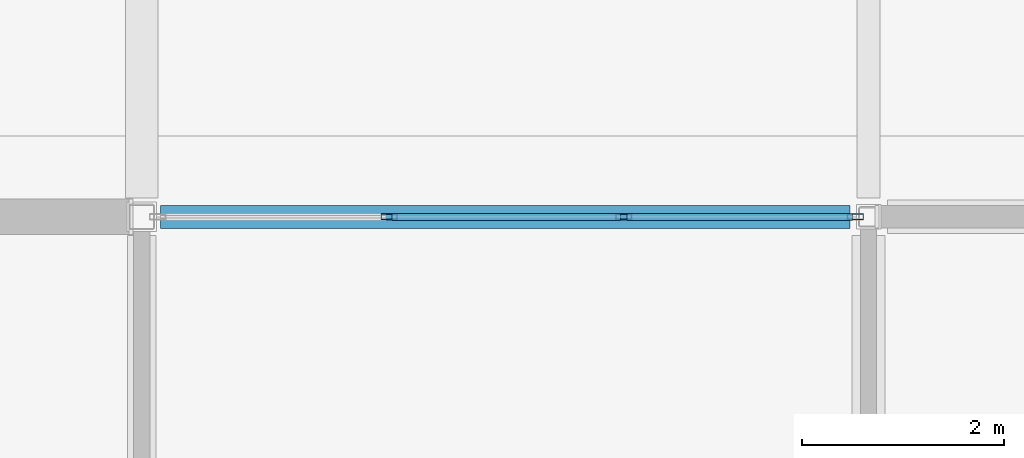
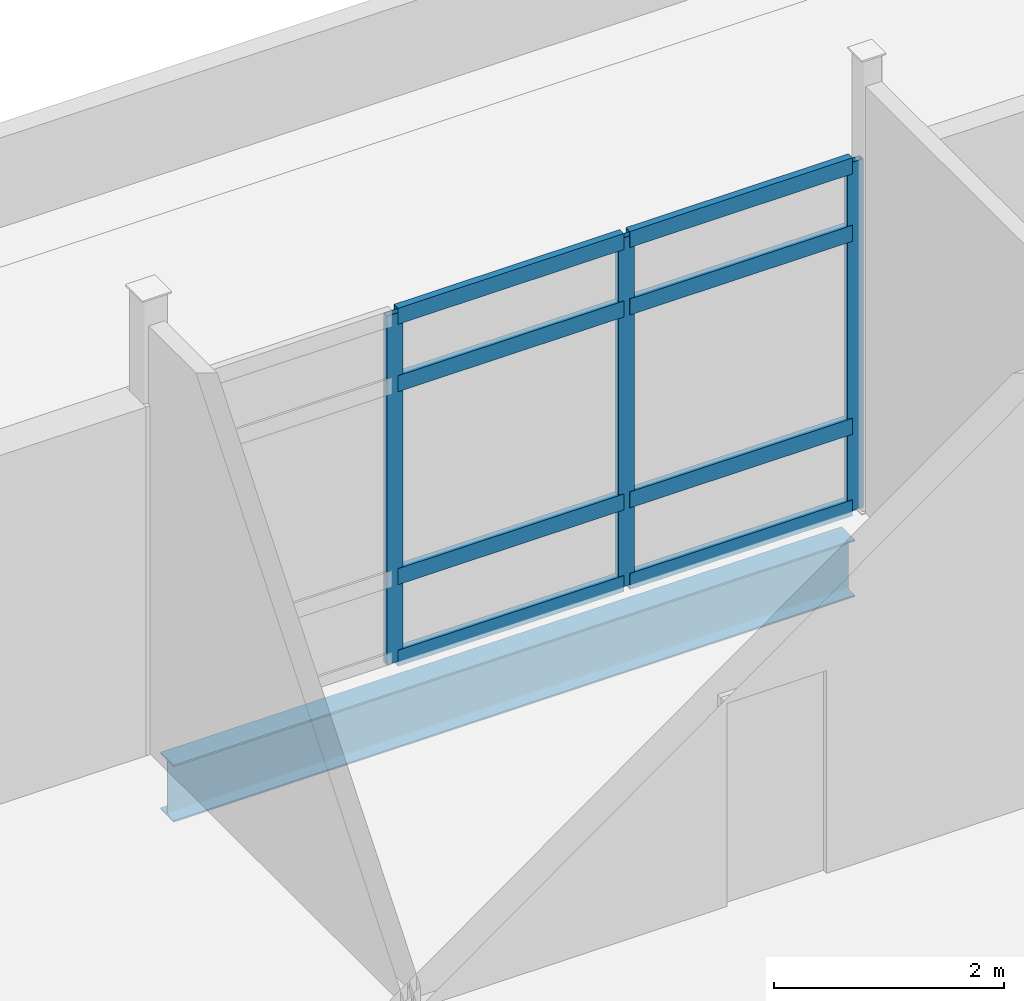
# One storey, part 37 of 186: 11 members, 1 beam, 1 element without a shape of its own.
"""IFC4 building model written with IfcOpenShell, lengths in metres."""

from ifc_helpers import new_model, si_unit, direction, frame, origin, origin_2d, place, context, subcontext, project, spatial, hollow_rectangle, i_section, extrude, material, layer, layer_set, material_profile, profile_set, type_object, element, aggregate, save


model = new_model("IFC4")

# Units and contexts
model_context = context("Model", 3, precision=1e-05, world=origin(), true_north=direction((0.0, 1.0)))
body_context = subcontext(model_context, "Body", "Model", "MODEL_VIEW")
ifc_project = project(units=[si_unit("LENGTHUNIT", "METRE"), si_unit("AREAUNIT", "SQUARE_METRE"), si_unit("VOLUMEUNIT", "CUBIC_METRE"), si_unit("PLANEANGLEUNIT", "RADIAN"), si_unit("MASSUNIT", "GRAM", prefix="KILO")], contexts=[model_context])

# Site, building, storey
site_placement = place(None, origin())
site = spatial("IfcSite", under=ifc_project, at=site_placement, CompositionType="ELEMENT")
building_placement = place(site_placement, origin())
building = spatial("IfcBuilding", under=site, at=building_placement, Name="Calvrana Isthmian Art Gallery", CompositionType="ELEMENT")
storey_placement = place(building_placement, frame((0.0, 0.0, 5.39990234375)))
storey = spatial("IfcBuildingStorey", under=building, at=storey_placement, Name="L01", CompositionType="ELEMENT", Elevation=5.39990234375)

# Beam
ifc_material_1 = material(Name="Steel ASTM A992 Gr 50", Category="steel")
ifc_material_profile_1 = material_profile(ifc_material_1, i_section(OverallWidth=0.22802734375, OverallDepth=0.60693359375, WebThickness=0.01123046875, FlangeThickness=0.017333984375, FilletRadius=0.02197265625, at=origin_2d()), Name="W24X76")
ifc_profile_set_1 = profile_set([ifc_material_profile_1], Name="Steel ASTM A992 Gr 50")
beam_type = type_object("IfcBeamType", Name="BM-G-W24X76", PredefinedType="BEAM", material=ifc_profile_set_1)
beam_placement = place(storey_placement, frame((14.58642578125, 62.0, -0.54833984375), z_axis=(1.0, 0.0, 0.0), x_axis=(0.0, 1.0, 0.0)))
element("IfcBeam", 1, at=beam_placement, inside=storey, type_object=beam_type, Name="Girder X L01 03-04/I", PredefinedType="BEAM", context=body_context, shape_type="SweptSolid", body=[
    extrude(i_section(OverallWidth=0.22802734375, OverallDepth=0.60693359375, WebThickness=0.01123046875, FlangeThickness=0.017333984375, FilletRadius=0.02197265625, at=origin_2d()), origin(), (0.0, 0.0, 1.0), 6.8271484375),
])

# Curtain wall, members
ifc_material_2 = material(Name="Anodized bronze aluminium 6063-T6", Category="aluminium")
ifc_layer = layer(ifc_material_2, 0.179931640625, Name="Anodized bronze aluminium 6063-T6")
ifc_layer_set = layer_set([ifc_layer], Name="Anodized bronze aluminium 6063-T6")
curtain_wall_type = type_object("IfcCurtainWallType", Name="CW-STICK-070X37", PredefinedType="NOTDEFINED", material=ifc_layer_set)
curtain_wall_placement = place(storey_placement, origin())
curtain_wall = element("IfcCurtainWall", 2, at=curtain_wall_placement, inside=storey, type_object=curtain_wall_type, Name="Curtain wall CW-103", PredefinedType="NOTDEFINED")
ifc_material_profile_2 = material_profile(ifc_material_2, hollow_rectangle(XDim=0.06005859375, YDim=0.159912109375, WallThickness=0.00390625, at=origin_2d()), Name="CWM60X160")
ifc_profile_set_2 = profile_set([ifc_material_profile_2], Name="Anodized bronze aluminium 6063-T6")
member_type_1 = type_object("IfcMemberType", Name="CWM-CWM60X160", PredefinedType="MULLION", material=ifc_profile_set_2)
member_1_placement = place(storey_placement, frame((16.850830078125, 62.0, 0.0), z_axis=(0.0, 0.0, 1.0), x_axis=(0.0, 1.0, 0.0)))
member_1 = element("IfcMember", 3, at=member_1_placement, type_object=member_type_1, Name="CW-103 mullion 2", PredefinedType="MULLION", context=body_context, shape_type="SweptSolid", body=[
    extrude(hollow_rectangle(XDim=0.06005859375, YDim=0.159912109375, WallThickness=0.00390625, at=origin_2d()), origin(), (0.0, 0.0, 1.0), 3.695068359375),
])
member_2_placement = place(storey_placement, frame((19.174560546875, 62.0, 0.0), z_axis=(0.0, 0.0, 1.0), x_axis=(0.0, 1.0, 0.0)))
member_2 = element("IfcMember", 4, at=member_2_placement, type_object=member_type_1, Name="CW-103 mullion 3", PredefinedType="MULLION", context=body_context, shape_type="SweptSolid", body=[
    extrude(hollow_rectangle(XDim=0.06005859375, YDim=0.159912109375, WallThickness=0.00390625, at=origin_2d()), origin(), (0.0, 0.0, 1.0), 3.695068359375),
])
member_3_placement = place(storey_placement, frame((21.468505859375, 62.0, 0.0), z_axis=(0.0, 0.0, 1.0), x_axis=(0.0, 1.0, 0.0)))
member_3 = element("IfcMember", 5, at=member_3_placement, type_object=member_type_1, Name="CW-103 mullion 4", PredefinedType="MULLION", context=body_context, shape_type="SweptSolid", body=[
    extrude(hollow_rectangle(XDim=0.06005859375, YDim=0.159912109375, WallThickness=0.00390625, at=origin_2d()), origin(), (0.0, 0.0, 1.0), 3.695068359375),
])
ifc_material_profile_3 = material_profile(ifc_material_2, hollow_rectangle(XDim=0.070068359375, YDim=0.169921875, WallThickness=0.00439453125, at=origin_2d()), Name="CWT70X170")
ifc_profile_set_3 = profile_set([ifc_material_profile_3], Name="Anodized bronze aluminium 6063-T6")
member_type_2 = type_object("IfcMemberType", Name="CWT-CWT70X170", PredefinedType="USERDEFINED", material=ifc_profile_set_3)
member_4_placement = place(storey_placement, frame((16.880859375, 62.0, 0.03515625), z_axis=(1.0, 0.0, 0.0), x_axis=(0.0, 1.0, 0.0)))
member_4 = element("IfcMember", 6, at=member_4_placement, type_object=member_type_2, Name="CW-103 transom 2.1", ObjectType="TRANSOM", PredefinedType="USERDEFINED", context=body_context, shape_type="SweptSolid", body=[
    extrude(hollow_rectangle(XDim=0.070068359375, YDim=0.169921875, WallThickness=0.00439453125, at=origin_2d()), origin(), (0.0, 0.0, 1.0), 2.263671875),
])
member_5_placement = place(storey_placement, frame((16.880859375, 62.0, 0.900146484375), z_axis=(1.0, 0.0, 0.0), x_axis=(0.0, 1.0, 0.0)))
member_5 = element("IfcMember", 7, at=member_5_placement, type_object=member_type_2, Name="CW-103 transom 2.2", ObjectType="TRANSOM", PredefinedType="USERDEFINED", context=body_context, shape_type="SweptSolid", body=[
    extrude(hollow_rectangle(XDim=0.070068359375, YDim=0.169921875, WallThickness=0.00439453125, at=origin_2d()), origin(), (0.0, 0.0, 1.0), 2.263671875),
])
member_6_placement = place(storey_placement, frame((16.880859375, 62.0, 2.945068359375), z_axis=(1.0, 0.0, 0.0), x_axis=(0.0, 1.0, 0.0)))
member_6 = element("IfcMember", 8, at=member_6_placement, type_object=member_type_2, Name="CW-103 transom 2.3", ObjectType="TRANSOM", PredefinedType="USERDEFINED", context=body_context, shape_type="SweptSolid", body=[
    extrude(hollow_rectangle(XDim=0.070068359375, YDim=0.169921875, WallThickness=0.00439453125, at=origin_2d()), origin(), (0.0, 0.0, 1.0), 2.263671875),
])
member_7_placement = place(storey_placement, frame((16.880859375, 62.0, 3.66015625), z_axis=(1.0, 0.0, 0.0), x_axis=(0.0, 1.0, 0.0)))
member_7 = element("IfcMember", 9, at=member_7_placement, type_object=member_type_2, Name="CW-103 transom 2.4", ObjectType="TRANSOM", PredefinedType="USERDEFINED", context=body_context, shape_type="SweptSolid", body=[
    extrude(hollow_rectangle(XDim=0.070068359375, YDim=0.169921875, WallThickness=0.00439453125, at=origin_2d()), origin(), (0.0, 0.0, 1.0), 2.263671875),
])
member_8_placement = place(storey_placement, frame((19.20458984375, 62.0, 0.03515625), z_axis=(1.0, 0.0, 0.0), x_axis=(0.0, 1.0, 0.0)))
member_8 = element("IfcMember", 10, at=member_8_placement, type_object=member_type_2, Name="CW-103 transom 3.1", ObjectType="TRANSOM", PredefinedType="USERDEFINED", context=body_context, shape_type="SweptSolid", body=[
    extrude(hollow_rectangle(XDim=0.070068359375, YDim=0.169921875, WallThickness=0.00439453125, at=origin_2d()), origin(), (0.0, 0.0, 1.0), 2.23388671875),
])
member_9_placement = place(storey_placement, frame((19.20458984375, 62.0, 0.900146484375), z_axis=(1.0, 0.0, 0.0), x_axis=(0.0, 1.0, 0.0)))
member_9 = element("IfcMember", 11, at=member_9_placement, type_object=member_type_2, Name="CW-103 transom 3.2", ObjectType="TRANSOM", PredefinedType="USERDEFINED", context=body_context, shape_type="SweptSolid", body=[
    extrude(hollow_rectangle(XDim=0.070068359375, YDim=0.169921875, WallThickness=0.00439453125, at=origin_2d()), origin(), (0.0, 0.0, 1.0), 2.23388671875),
])
member_10_placement = place(storey_placement, frame((19.20458984375, 62.0, 2.945068359375), z_axis=(1.0, 0.0, 0.0), x_axis=(0.0, 1.0, 0.0)))
member_10 = element("IfcMember", 12, at=member_10_placement, type_object=member_type_2, Name="CW-103 transom 3.3", ObjectType="TRANSOM", PredefinedType="USERDEFINED", context=body_context, shape_type="SweptSolid", body=[
    extrude(hollow_rectangle(XDim=0.070068359375, YDim=0.169921875, WallThickness=0.00439453125, at=origin_2d()), origin(), (0.0, 0.0, 1.0), 2.23388671875),
])
member_11_placement = place(storey_placement, frame((19.20458984375, 62.0, 3.66015625), z_axis=(1.0, 0.0, 0.0), x_axis=(0.0, 1.0, 0.0)))
member_11 = element("IfcMember", 13, at=member_11_placement, type_object=member_type_2, Name="CW-103 transom 3.4", ObjectType="TRANSOM", PredefinedType="USERDEFINED", context=body_context, shape_type="SweptSolid", body=[
    extrude(hollow_rectangle(XDim=0.070068359375, YDim=0.169921875, WallThickness=0.00439453125, at=origin_2d()), origin(), (0.0, 0.0, 1.0), 2.23388671875),
])
aggregate(curtain_wall, [member_1, member_2, member_3, member_4, member_5, member_6, member_7, member_8, member_9, member_10, member_11])

save(model, "model.ifc")
